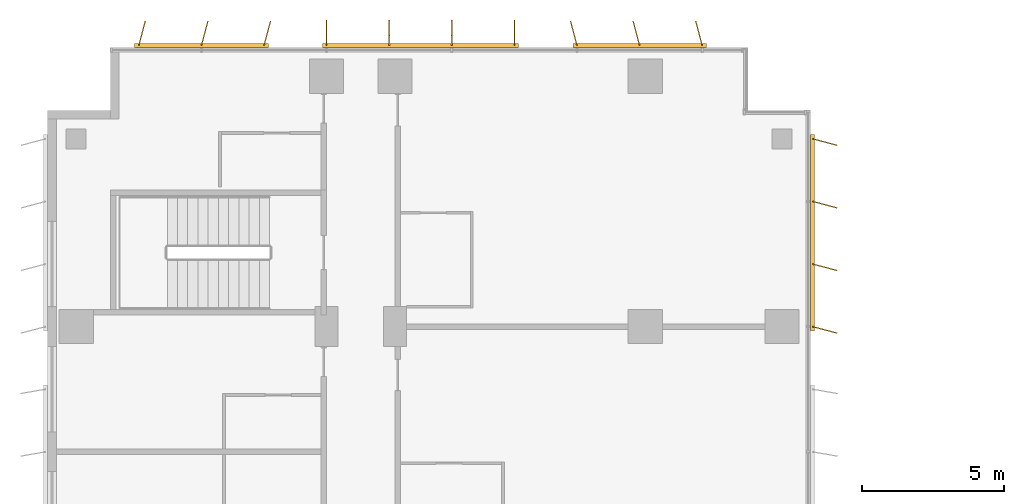
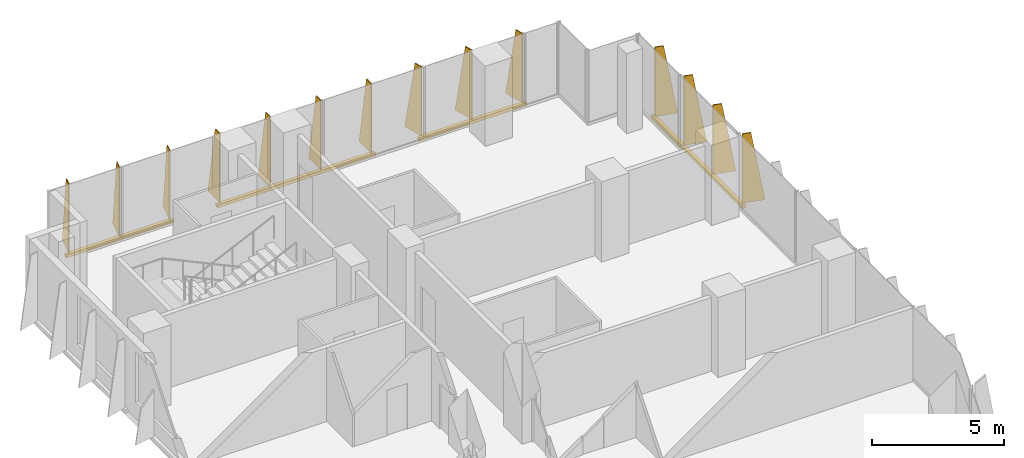
# One storey, part 22 of 22: 4 shading devices.
"""IFC4 building model written with IfcOpenShell, lengths in metres."""

from ifc_helpers import new_model, si_unit, direction, frame, origin, origin_2d, place, context, subcontext, project, spatial, polyline, rectangle, outline, extrude, source, transform, mapped, material, layer, layer_set, type_object, element, save


model = new_model("IFC4")

# Units and contexts
model_context = context("Model", 3, precision=1e-05, world=origin(), true_north=direction((0.0, 1.0)))
body_context = subcontext(model_context, "Body", "Model", "MODEL_VIEW")
ifc_project = project(units=[si_unit("LENGTHUNIT", "METRE"), si_unit("AREAUNIT", "SQUARE_METRE"), si_unit("VOLUMEUNIT", "CUBIC_METRE"), si_unit("PLANEANGLEUNIT", "RADIAN"), si_unit("MASSUNIT", "GRAM", prefix="KILO")], contexts=[model_context])

# Site, building, storey
site_placement = place(None, origin())
site = spatial("IfcSite", under=ifc_project, at=site_placement, CompositionType="ELEMENT")
building_placement = place(site_placement, origin())
building = spatial("IfcBuilding", under=site, at=building_placement, Name="Kemantara Hotel Tower", CompositionType="ELEMENT")
storey_placement = place(building_placement, frame((0.0, 0.0, 111.10009765625)))
storey = spatial("IfcBuildingStorey", under=building, at=storey_placement, Name="L26", CompositionType="ELEMENT", Elevation=111.10009765625)

# Shading devices
ifc_material = material(Name="Perforated aluminium plate 4 mm bronze anodised", Category="aluminium")
ifc_layer_1 = layer(ifc_material, 0.0400390625)
ifc_layer_set_1 = layer_set([ifc_layer_1], Name="Perforated aluminium plate 4 mm bronze anodised")
shading_device_type_1 = type_object("IfcShadingDeviceType", Name="SCREEN FIN CASSETTE, 3 BLADES AT -15.0 DEG, 3200 HIGH", PredefinedType="USERDEFINED", material=ifc_layer_set_1)
shared_shape_1 = source(origin(), body_context, "Body", "SweptSolid", [
    extrude(rectangle(XDim=4.699951171875, YDim=0.14990234375, at=origin_2d()), frame((2.199951171875, -0.074951171875, -0.14990234375), z_axis=(0.0, 0.0, 1.0), x_axis=(1.0, 0.0, 0.0)), (0.0, 0.0, 1.0), 0.14990234375),
    extrude(outline(polyline([(0.0, 0.0), (0.89990234375, 0.0), (0.35009765625, 3.199951171875), (0.0, 3.199951171875), (0.0, 0.0)])), frame((0.019287109375, -0.080078125, 0.0), z_axis=(-0.966437683387, 0.256901156343, 0.0), x_axis=(-0.256901156343, -0.966437683387, 0.0)), (0.0, 0.0, 1.0), 0.039794921875),
    extrude(outline(polyline([(0.0, 0.0), (0.89990234375, 0.0), (0.35009765625, 3.199951171875), (0.0, 3.199951171875), (0.0, 0.0)])), frame((2.21923828125, -0.080078125, 0.0), z_axis=(-0.966437683387, 0.256901156343, 0.0), x_axis=(-0.256901156343, -0.966437683387, 0.0)), (0.0, 0.0, 1.0), 0.039794921875),
    extrude(outline(polyline([(0.0, 0.0), (0.89990234375, 0.0), (0.35009765625, 3.199951171875), (0.0, 3.199951171875), (0.0, 0.0)])), frame((4.41943359375, -0.080078125, 0.0), z_axis=(-0.966837822169, 0.255391122837, 0.0), x_axis=(-0.255391122837, -0.966837822169, 0.0)), (0.0, 0.0, 1.0), 0.0400390625),
])
shading_device_1_placement = place(storey_placement, frame((7.60009765625, 81.199951171875, 0.099853515625), z_axis=(0.0, 0.0, 1.0), x_axis=(-1.0, 0.0, 0.0)))
element("IfcShadingDevice", 1, at=shading_device_1_placement, inside=storey, type_object=shading_device_type_1, Name="SCREEN FIN CASSETTE L26 T2-R01-3", ObjectType="SCREEN FIN", PredefinedType="USERDEFINED", context=body_context, shape_type="MappedRepresentation", body=[
    mapped(shared_shape_1, transform((0.0, 0.0, 0.0))),
])
ifc_layer_2 = layer(ifc_material, 0.0400390625)
ifc_layer_set_2 = layer_set([ifc_layer_2], Name="Perforated aluminium plate 4 mm bronze anodised")
shading_device_type_2 = type_object("IfcShadingDeviceType", Name="SCREEN FIN CASSETTE, 4 BLADES AT +0.0 DEG, 3200 HIGH", PredefinedType="USERDEFINED", material=ifc_layer_set_2)
shared_shape_2 = source(origin(), body_context, "Body", "SweptSolid", [
    extrude(rectangle(XDim=6.89990234375, YDim=0.14990234375, at=origin_2d()), frame((3.300048828125, -0.074951171875, -0.14990234375), z_axis=(0.0, 0.0, 1.0), x_axis=(1.0, 0.0, 0.0)), (0.0, 0.0, 1.0), 0.14990234375),
    extrude(outline(polyline([(0.0, 0.0), (0.89990234375, 0.0), (0.35009765625, 3.199951171875), (0.0, 3.199951171875), (0.0, 0.0)])), frame((0.02001953125, -0.074951171875, 0.0), z_axis=(-1.0, 0.0, 0.0), x_axis=(0.0, -1.0, 0.0)), (0.0, 0.0, 1.0), 0.0400390625),
    extrude(outline(polyline([(0.0, 0.0), (0.89990234375, 0.0), (0.35009765625, 3.199951171875), (0.0, 3.199951171875), (0.0, 0.0)])), frame((2.219970703125, -0.074951171875, 0.0), z_axis=(-1.0, 0.0, 0.0), x_axis=(0.0, -1.0, 0.0)), (0.0, 0.0, 1.0), 0.0400390625),
    extrude(outline(polyline([(0.0, 0.0), (0.89990234375, 0.0), (0.35009765625, 3.199951171875), (0.0, 3.199951171875), (0.0, 0.0)])), frame((4.419921875, -0.074951171875, 0.0), z_axis=(-1.0, 0.0, 0.0), x_axis=(0.0, -1.0, 0.0)), (0.0, 0.0, 1.0), 0.0400390625),
    extrude(outline(polyline([(0.0, 0.0), (0.89990234375, 0.0), (0.35009765625, 3.199951171875), (0.0, 3.199951171875), (0.0, 0.0)])), frame((6.6201171875, -0.074951171875, 0.0), z_axis=(-1.0, 0.0, 0.0), x_axis=(0.0, -1.0, 0.0)), (0.0, 0.0, 1.0), 0.0400390625),
])
shading_device_2_placement = place(storey_placement, frame((16.39990234375, 81.199951171875, 0.099853515625), z_axis=(0.0, 0.0, 1.0), x_axis=(-1.0, 0.0, 0.0)))
element("IfcShadingDevice", 2, at=shading_device_2_placement, inside=storey, type_object=shading_device_type_2, Name="SCREEN FIN CASSETTE L26 T2-R01-2", ObjectType="SCREEN FIN", PredefinedType="USERDEFINED", context=body_context, shape_type="MappedRepresentation", body=[
    mapped(shared_shape_2, transform((0.0, 0.0, 0.0))),
])
ifc_layer_3 = layer(ifc_material, 0.0400390625)
ifc_layer_set_3 = layer_set([ifc_layer_3], Name="Perforated aluminium plate 4 mm bronze anodised")
shading_device_type_3 = type_object("IfcShadingDeviceType", Name="SCREEN FIN CASSETTE, 3 BLADES AT +15.0 DEG, 3200 HIGH", PredefinedType="USERDEFINED", material=ifc_layer_set_3)
shared_shape_3 = source(origin(), body_context, "Body", "SweptSolid", [
    extrude(rectangle(XDim=4.699951171875, YDim=0.14990234375, at=origin_2d()), frame((2.199951171875, -0.074951171875, -0.14990234375), z_axis=(0.0, 0.0, 1.0), x_axis=(1.0, 0.0, 0.0)), (0.0, 0.0, 1.0), 0.14990234375),
    extrude(outline(polyline([(0.0, 0.0), (0.89990234375, 0.0), (0.35009765625, 3.199951171875), (0.0, 3.199951171875), (0.0, 0.0)])), frame((0.019287109375, -0.06982421875, 0.0), z_axis=(-0.966437683387, -0.256901156343, 0.0), x_axis=(0.256901156343, -0.966437683387, 0.0)), (0.0, 0.0, 1.0), 0.039794921875),
    extrude(outline(polyline([(0.0, 0.0), (0.89990234375, 0.0), (0.35009765625, 3.199951171875), (0.0, 3.199951171875), (0.0, 0.0)])), frame((2.21923828125, -0.06982421875, 0.0), z_axis=(-0.966437683387, -0.256901156343, 0.0), x_axis=(0.256901156343, -0.966437683387, 0.0)), (0.0, 0.0, 1.0), 0.039794921875),
    extrude(outline(polyline([(0.0, 0.0), (0.89990234375, 0.0), (0.35009765625, 3.199951171875), (0.0, 3.199951171875), (0.0, 0.0)])), frame((4.41943359375, -0.06982421875, 0.0), z_axis=(-0.966837822169, -0.255391122837, 0.0), x_axis=(0.255391122837, -0.966837822169, 0.0)), (0.0, 0.0, 1.0), 0.0400390625),
])
shading_device_3_placement = place(storey_placement, frame((23.0, 81.199951171875, 0.099853515625), z_axis=(0.0, 0.0, 1.0), x_axis=(-1.0, 0.0, 0.0)))
element("IfcShadingDevice", 3, at=shading_device_3_placement, inside=storey, type_object=shading_device_type_3, Name="SCREEN FIN CASSETTE L26 T2-R01-1", ObjectType="SCREEN FIN", PredefinedType="USERDEFINED", context=body_context, shape_type="MappedRepresentation", body=[
    mapped(shared_shape_3, transform((0.0, 0.0, 0.0))),
])
ifc_layer_4 = layer(ifc_material, 0.0400390625)
ifc_layer_set_4 = layer_set([ifc_layer_4], Name="Perforated aluminium plate 4 mm bronze anodised")
shading_device_type_4 = type_object("IfcShadingDeviceType", Name="SCREEN FIN CASSETTE, 4 BLADES AT -15.0 DEG, 3200 HIGH", PredefinedType="USERDEFINED", material=ifc_layer_set_4)
shared_shape_4 = source(origin(), body_context, "Body", "SweptSolid", [
    extrude(rectangle(XDim=6.89990234375, YDim=0.14990234375, at=origin_2d()), frame((3.300048828125, -0.074951171875, -0.14990234375), z_axis=(0.0, 0.0, 1.0), x_axis=(1.0, 0.0, 0.0)), (0.0, 0.0, 1.0), 0.14990234375),
    extrude(outline(polyline([(0.0, 0.0), (0.89990234375, 0.0), (0.35009765625, 3.199951171875), (0.0, 3.199951171875), (0.0, 0.0)])), frame((0.019287109375, -0.080078125, 0.0), z_axis=(-0.966437683387, 0.256901156343, 0.0), x_axis=(-0.256901156343, -0.966437683387, 0.0)), (0.0, 0.0, 1.0), 0.039794921875),
    extrude(outline(polyline([(0.0, 0.0), (0.89990234375, 0.0), (0.35009765625, 3.199951171875), (0.0, 3.199951171875), (0.0, 0.0)])), frame((2.21923828125, -0.080078125, 0.0), z_axis=(-0.966437683387, 0.256901156343, 0.0), x_axis=(-0.256901156343, -0.966437683387, 0.0)), (0.0, 0.0, 1.0), 0.039794921875),
    extrude(outline(polyline([(0.0, 0.0), (0.89990234375, 0.0), (0.35009765625, 3.199951171875), (0.0, 3.199951171875), (0.0, 0.0)])), frame((4.41943359375, -0.080078125, 0.0), z_axis=(-0.966837822169, 0.255391122837, 0.0), x_axis=(-0.255391122837, -0.966837822169, 0.0)), (0.0, 0.0, 1.0), 0.0400390625),
    extrude(outline(polyline([(0.0, 0.0), (0.89990234375, 0.0), (0.35009765625, 3.199951171875), (0.0, 3.199951171875), (0.0, 0.0)])), frame((6.619384765625, -0.080078125, 0.0), z_axis=(-0.966837822169, 0.255391122837, 0.0), x_axis=(-0.255391122837, -0.966837822169, 0.0)), (0.0, 0.0, 1.0), 0.0400390625),
])
shading_device_4_placement = place(storey_placement, frame((26.800048828125, 71.39990234375, 0.099853515625), z_axis=(0.0, 0.0, 1.0), x_axis=(0.0, 1.0, 0.0)))
element("IfcShadingDevice", 4, at=shading_device_4_placement, inside=storey, type_object=shading_device_type_4, Name="SCREEN FIN CASSETTE L26 T2-R14-7", ObjectType="SCREEN FIN", PredefinedType="USERDEFINED", context=body_context, shape_type="MappedRepresentation", body=[
    mapped(shared_shape_4, transform((0.0, 0.0, 0.0))),
])

save(model, "model.ifc")
